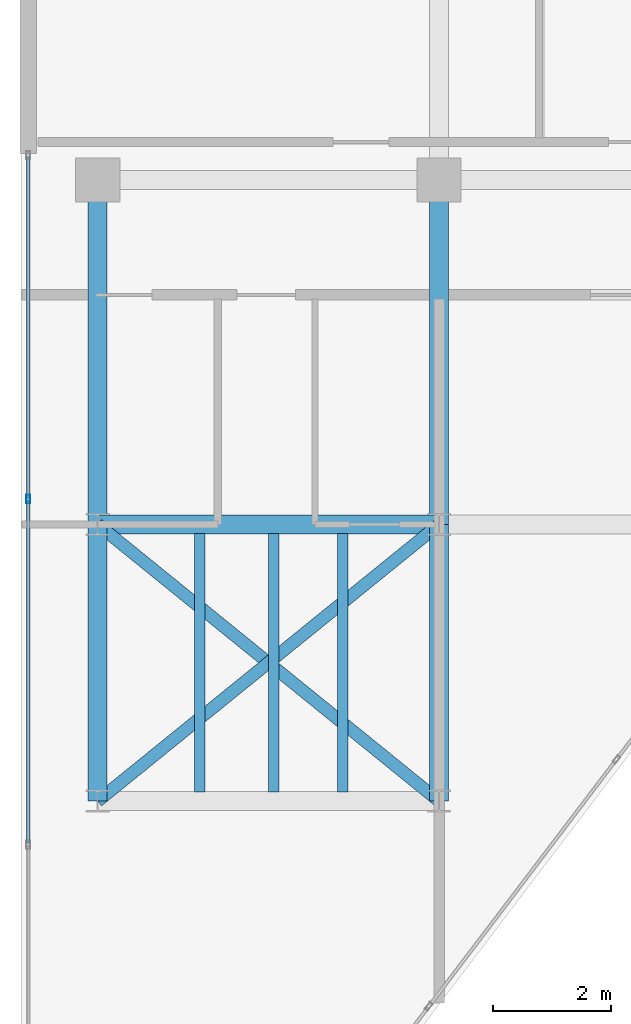
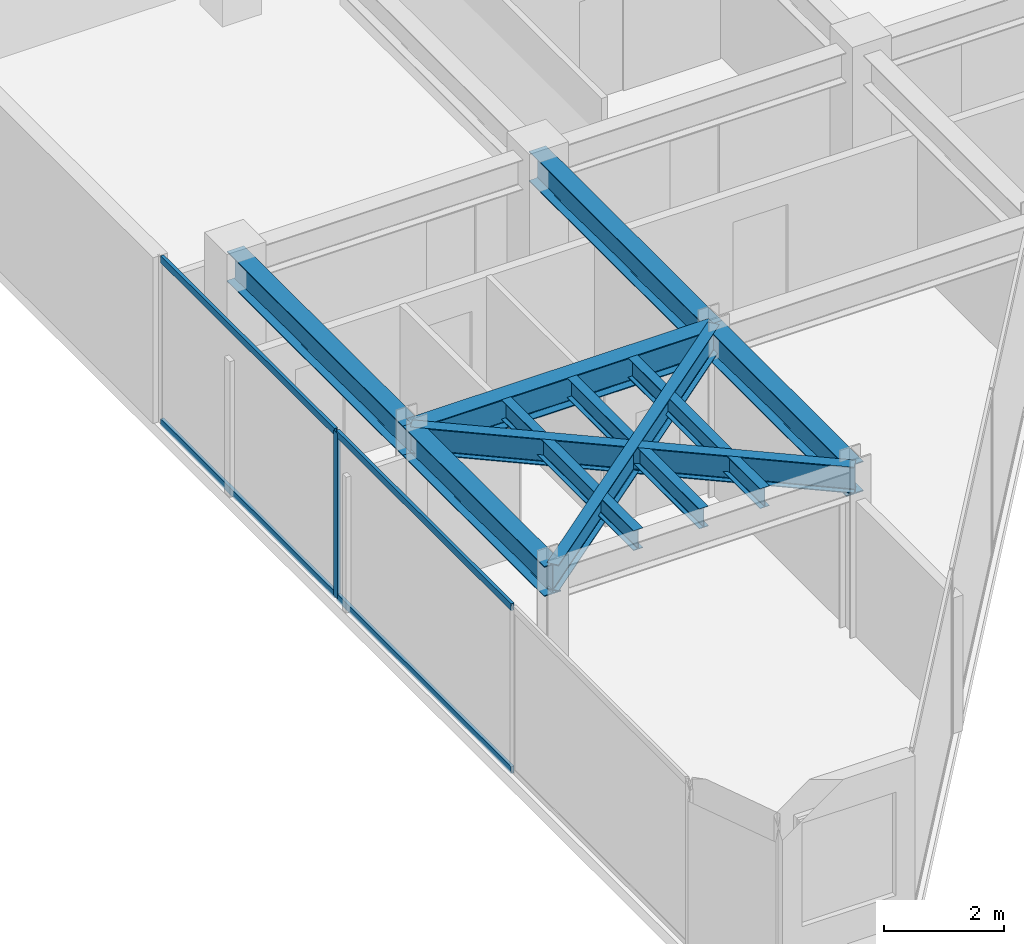
# One storey, part 3 of 17: 10 beams, 5 members, 1 element without a shape of its own.
"""IFC4 building model written with IfcOpenShell, lengths in metres."""

from ifc_helpers import new_model, si_unit, direction, frame, origin, origin_2d, place, context, subcontext, project, spatial, hollow_rectangle, i_section, extrude, material, layer, layer_set, material_profile, profile_set, type_object, element, aggregate, save


model = new_model("IFC4")

# Units and contexts
model_context = context("Model", 3, precision=1e-05, world=origin(), true_north=direction((0.0, 1.0)))
body_context = subcontext(model_context, "Body", "Model", "MODEL_VIEW")
ifc_project = project(units=[si_unit("LENGTHUNIT", "METRE"), si_unit("AREAUNIT", "SQUARE_METRE"), si_unit("VOLUMEUNIT", "CUBIC_METRE"), si_unit("PLANEANGLEUNIT", "RADIAN"), si_unit("MASSUNIT", "GRAM", prefix="KILO")], contexts=[model_context])

# Site, building, storey
site_placement = place(None, origin())
site = spatial("IfcSite", under=ifc_project, at=site_placement, CompositionType="ELEMENT")
building_placement = place(site_placement, origin())
building = spatial("IfcBuilding", under=site, at=building_placement, Name="Kravanh Interchange Tower", CompositionType="ELEMENT")
storey_placement = place(building_placement, frame((0.0, 0.0, 285.89990234375)))
storey = spatial("IfcBuildingStorey", under=building, at=storey_placement, Name="L70", CompositionType="ELEMENT", Elevation=285.89990234375)

# Curtain wall, members
ifc_material_1 = material(Name="Anodised Bronze Aluminium", Category="aluminium")
ifc_layer = layer(ifc_material_1, 0.179931640625)
ifc_layer_set = layer_set([ifc_layer], Name="Unitised Curtain Wall System CW-HTL Luxury Hotel")
curtain_wall_type = type_object("IfcCurtainWallType", Name="Unitised Curtain Wall System CW-HTL Luxury Hotel", PredefinedType="NOTDEFINED", material=ifc_layer_set)
curtain_wall_placement = place(storey_placement, origin())
curtain_wall = element("IfcCurtainWall", 1, at=curtain_wall_placement, inside=storey, type_object=curtain_wall_type, Name="L70 Unitised Curtain Wall CW-L70-01", PredefinedType="NOTDEFINED")
ifc_material_2 = material(Name="Anodised Bronze Aluminium", Category="aluminium")
ifc_material_profile_1 = material_profile(ifc_material_2, hollow_rectangle(XDim=0.06005859375, YDim=0.139892578125, WallThickness=0.00390625, at=origin_2d()), Name="ALU60X140X4")
ifc_profile_set_1 = profile_set([ifc_material_profile_1], Name="Anodised Bronze Aluminium")
member_type_1 = type_object("IfcMemberType", Name="Curtain Wall Mullion ALU60X140X4 Bronze", PredefinedType="MULLION", material=ifc_profile_set_1)
member_1_placement = place(storey_placement, frame((31.6201171875, 31.929931640625, 0.0), z_axis=(0.0, 0.0, 1.0), x_axis=(-1.0, 0.0, 0.0)))
member_1 = element("IfcMember", 2, at=member_1_placement, type_object=member_type_1, Name="CW-HTL mullion 3", PredefinedType="MULLION", context=body_context, shape_type="SweptSolid", body=[
    extrude(hollow_rectangle(XDim=0.06005859375, YDim=0.139892578125, WallThickness=0.00390625, at=origin_2d()), origin(), (0.0, 0.0, 1.0), 3.364990234375),
])
ifc_material_3 = material(Name="Anodised Bronze Aluminium", Category="aluminium")
ifc_material_profile_2 = material_profile(ifc_material_3, hollow_rectangle(XDim=0.06005859375, YDim=0.139892578125, WallThickness=0.00390625, at=origin_2d()), Name="ALU60X140X4")
ifc_profile_set_2 = profile_set([ifc_material_profile_2], Name="Anodised Bronze Aluminium")
member_type_2 = type_object("IfcMemberType", Name="Curtain Wall Transom ALU60X140X4 Bronze", PredefinedType="USERDEFINED", material=ifc_profile_set_2)
member_2_placement = place(storey_placement, frame((31.6201171875, 26.08984375, 0.030029296875), z_axis=(0.0, 1.0, 0.0), x_axis=(-1.0, 0.0, 0.0)))
member_2 = element("IfcMember", 3, at=member_2_placement, type_object=member_type_2, Name="CW-HTL transom 2.1", ObjectType="TRANSOM", PredefinedType="USERDEFINED", context=body_context, shape_type="SweptSolid", body=[
    extrude(hollow_rectangle(XDim=0.06005859375, YDim=0.139892578125, WallThickness=0.00390625, at=origin_2d()), origin(), (0.0, 0.0, 1.0), 5.81005859375),
])
member_3_placement = place(storey_placement, frame((31.6201171875, 26.08984375, 3.335205078125), z_axis=(0.0, 1.0, 0.0), x_axis=(-1.0, 0.0, 0.0)))
member_3 = element("IfcMember", 4, at=member_3_placement, type_object=member_type_2, Name="CW-HTL transom 2.2", ObjectType="TRANSOM", PredefinedType="USERDEFINED", context=body_context, shape_type="SweptSolid", body=[
    extrude(hollow_rectangle(XDim=0.06005859375, YDim=0.139892578125, WallThickness=0.00390625, at=origin_2d()), origin(), (0.0, 0.0, 1.0), 5.81005859375),
])
member_4_placement = place(storey_placement, frame((31.6201171875, 31.9599609375, 0.030029296875), z_axis=(0.0, 1.0, 0.0), x_axis=(-1.0, 0.0, 0.0)))
member_4 = element("IfcMember", 5, at=member_4_placement, type_object=member_type_2, Name="CW-HTL transom 3.1", ObjectType="TRANSOM", PredefinedType="USERDEFINED", context=body_context, shape_type="SweptSolid", body=[
    extrude(hollow_rectangle(XDim=0.06005859375, YDim=0.139892578125, WallThickness=0.00390625, at=origin_2d()), origin(), (0.0, 0.0, 1.0), 5.780029296875),
])
member_5_placement = place(storey_placement, frame((31.6201171875, 31.9599609375, 3.335205078125), z_axis=(0.0, 1.0, 0.0), x_axis=(-1.0, 0.0, 0.0)))
member_5 = element("IfcMember", 6, at=member_5_placement, type_object=member_type_2, Name="CW-HTL transom 3.2", ObjectType="TRANSOM", PredefinedType="USERDEFINED", context=body_context, shape_type="SweptSolid", body=[
    extrude(hollow_rectangle(XDim=0.06005859375, YDim=0.139892578125, WallThickness=0.00390625, at=origin_2d()), origin(), (0.0, 0.0, 1.0), 5.780029296875),
])
aggregate(curtain_wall, [member_1, member_2, member_3, member_4, member_5])

# Beams
ifc_material_4 = material(Name="Structural Steel S355", Category="steel")
ifc_material_profile_3 = material_profile(ifc_material_4, i_section(OverallWidth=0.323974609375, OverallDepth=0.611083984375, WebThickness=0.0126953125, FlangeThickness=0.01904296875, FilletRadius=0.02197265625, at=origin_2d()), Name="W24X104")
ifc_profile_set_3 = profile_set([ifc_material_profile_3], Name="Structural Steel S355")
beam_type_1 = type_object("IfcBeamType", Name="Floor Beam W24X104 Structural Steel S355", PredefinedType="BEAM", material=ifc_profile_set_3)
beam_1_placement = place(storey_placement, frame((38.60009765625, 31.5, 3.0595703125), z_axis=(0.0, -1.0, 0.0), x_axis=(1.0, 0.0, 0.0)))
element("IfcBeam", 7, at=beam_1_placement, inside=storey, type_object=beam_type_1, Name="L70 Primary Floor Girder 17", PredefinedType="BEAM", context=body_context, shape_type="SweptSolid", body=[
    extrude(i_section(OverallWidth=0.323974609375, OverallDepth=0.611083984375, WebThickness=0.0126953125, FlangeThickness=0.01904296875, FilletRadius=0.02197265625, at=origin_2d()), origin(), (0.0, 0.0, 1.0), 4.699951171875),
])
beam_2_placement = place(storey_placement, frame((38.60009765625, 31.5, 3.0595703125), z_axis=(-1.0, 0.0, 0.0), x_axis=(0.0, -1.0, 0.0)))
element("IfcBeam", 8, at=beam_2_placement, inside=storey, type_object=beam_type_1, Name="L70 Primary Floor Girder 18", PredefinedType="BEAM", context=body_context, shape_type="SweptSolid", body=[
    extrude(i_section(OverallWidth=0.323974609375, OverallDepth=0.611083984375, WebThickness=0.0126953125, FlangeThickness=0.01904296875, FilletRadius=0.02197265625, at=origin_2d()), origin(), (0.0, 0.0, 1.0), 5.800048828125),
])
beam_3_placement = place(storey_placement, frame((38.60009765625, 31.5, 3.0595703125), z_axis=(0.0, 1.0, 0.0), x_axis=(-1.0, 0.0, 0.0)))
element("IfcBeam", 9, at=beam_3_placement, inside=storey, type_object=beam_type_1, Name="L70 Primary Floor Girder 19", PredefinedType="BEAM", context=body_context, shape_type="SweptSolid", body=[
    extrude(i_section(OverallWidth=0.323974609375, OverallDepth=0.611083984375, WebThickness=0.0126953125, FlangeThickness=0.01904296875, FilletRadius=0.02197265625, at=origin_2d()), origin(), (0.0, 0.0, 1.0), 5.85009765625),
])
beam_4_placement = place(storey_placement, frame((32.800048828125, 31.5, 3.0595703125), z_axis=(0.0, -1.0, 0.0), x_axis=(1.0, 0.0, 0.0)))
element("IfcBeam", 10, at=beam_4_placement, inside=storey, type_object=beam_type_1, Name="L70 Primary Floor Girder 21", PredefinedType="BEAM", context=body_context, shape_type="SweptSolid", body=[
    extrude(i_section(OverallWidth=0.323974609375, OverallDepth=0.611083984375, WebThickness=0.0126953125, FlangeThickness=0.01904296875, FilletRadius=0.02197265625, at=origin_2d()), origin(), (0.0, 0.0, 1.0), 4.699951171875),
])
beam_5_placement = place(storey_placement, frame((32.800048828125, 31.5, 3.0595703125), z_axis=(0.0, 1.0, 0.0), x_axis=(-1.0, 0.0, 0.0)))
element("IfcBeam", 11, at=beam_5_placement, inside=storey, type_object=beam_type_1, Name="L70 Primary Floor Girder 22", PredefinedType="BEAM", context=body_context, shape_type="SweptSolid", body=[
    extrude(i_section(OverallWidth=0.323974609375, OverallDepth=0.611083984375, WebThickness=0.0126953125, FlangeThickness=0.01904296875, FilletRadius=0.02197265625, at=origin_2d()), origin(), (0.0, 0.0, 1.0), 5.85009765625),
])
ifc_material_5 = material(Name="Structural Steel S355", Category="steel")
ifc_material_profile_4 = material_profile(ifc_material_5, i_section(OverallWidth=0.177978515625, OverallDepth=0.406005859375, WebThickness=0.0078125, FlangeThickness=0.0126953125, FilletRadius=0.01611328125, at=origin_2d()), Name="W16X40")
ifc_profile_set_4 = profile_set([ifc_material_profile_4], Name="Structural Steel S355")
beam_type_2 = type_object("IfcBeamType", Name="Floor Joist W16X40 Structural Steel S355", PredefinedType="JOIST", material=ifc_profile_set_4)
for number, where, z_axis, x_axis, name in (
    (12, (34.530029296875, 26.95703125, 3.162109375), (0.0, 1.0, 0.0), (-1.0, 0.0, 0.0), "L70 Secondary Floor Joist 4"),
    (13, (35.7900390625, 26.95703125, 3.162109375), (0.0, 1.0, 0.0), (-1.0, 0.0, 0.0), "L70 Secondary Floor Joist 5"),
    (14, (36.9599609375, 26.95703125, 3.162109375), (0.0, 1.0, 0.0), (-1.0, 0.0, 0.0), "L70 Secondary Floor Joist 6"),
):
    element("IfcBeam", number, at=place(storey_placement, frame(where, z_axis=z_axis, x_axis=x_axis)), inside=storey, type_object=beam_type_2, Name=name, PredefinedType="JOIST", context=body_context, shape_type="SweptSolid", body=[
        extrude(i_section(OverallWidth=0.177978515625, OverallDepth=0.406005859375, WebThickness=0.0078125, FlangeThickness=0.0126953125, FilletRadius=0.01611328125, at=origin_2d()), origin(), (0.0, 0.0, 1.0), 4.385986328125),
    ])
ifc_material_6 = material(Name="Structural Steel S355", Category="steel")
ifc_material_profile_5 = material_profile(ifc_material_6, i_section(OverallWidth=0.2099609375, OverallDepth=0.537109375, WebThickness=0.010986328125, FlangeThickness=0.017333984375, FilletRadius=0.02001953125, at=origin_2d()), Name="W21X68")
ifc_profile_set_5 = profile_set([ifc_material_profile_5], Name="Structural Steel S355")
beam_type_3 = type_object("IfcBeamType", Name="Floor Spandrel W21X68 Structural Steel S355", PredefinedType="SPANDREL", material=ifc_profile_set_5)
for number, where, z_axis, x_axis, name in (
    (15, (38.60009765625, 31.5, 3.0966796875), (-0.776938619557, -0.629576350764, 0.0), (0.629576350764, -0.776938619557, 0.0), "L70 Perimeter Spandrel 20"),
    (16, (32.800048828125, 31.5, 3.0966796875), (0.776938619557, -0.629576350764, 0.0), (0.629576350764, 0.776938619557, 0.0), "L70 Perimeter Spandrel 23"),
):
    element("IfcBeam", number, at=place(storey_placement, frame(where, z_axis=z_axis, x_axis=x_axis)), inside=storey, type_object=beam_type_3, Name=name, PredefinedType="SPANDREL", context=body_context, shape_type="SweptSolid", body=[
        extrude(i_section(OverallWidth=0.2099609375, OverallDepth=0.537109375, WebThickness=0.010986328125, FlangeThickness=0.017333984375, FilletRadius=0.02001953125, at=origin_2d()), origin(), (0.0, 0.0, 1.0), 7.46533203125),
    ])

save(model, "model.ifc")
